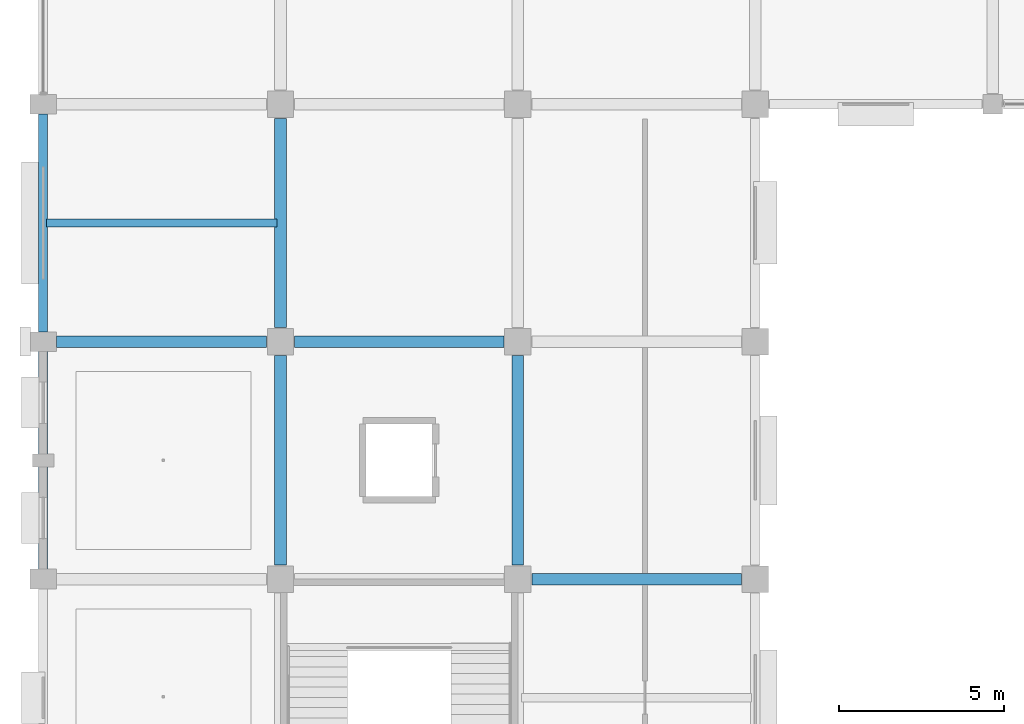
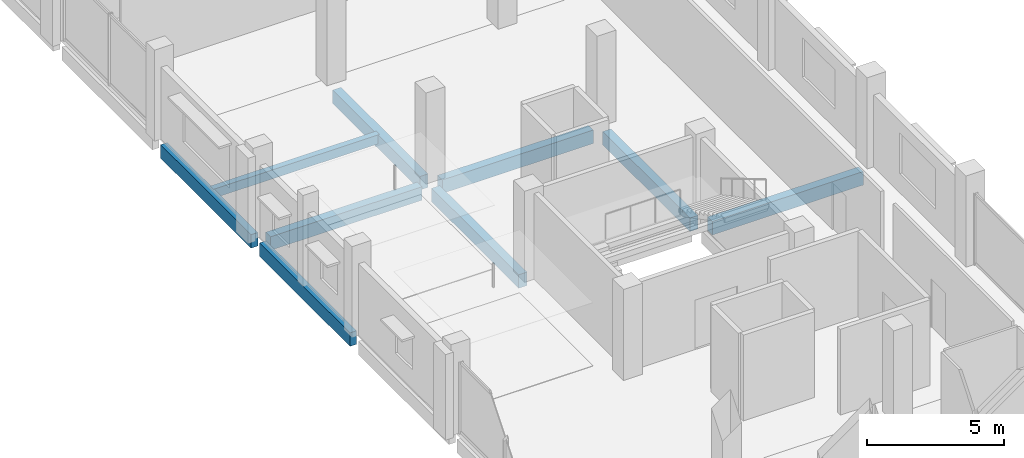
# One storey, part 10 of 108: 9 beams.
"""IFC4 building model written with IfcOpenShell, lengths in metres."""

from ifc_helpers import new_model, si_unit, direction, frame, origin, origin_2d, place, context, subcontext, project, spatial, rectangle, extrude, material, material_profile, profile_set, type_object, element, save


model = new_model("IFC4")

# Units and contexts
model_context = context("Model", 3, precision=1e-05, world=origin(), true_north=direction((0.0, 1.0)))
body_context = subcontext(model_context, "Body", "Model", "MODEL_VIEW")
ifc_project = project(units=[si_unit("LENGTHUNIT", "METRE"), si_unit("AREAUNIT", "SQUARE_METRE"), si_unit("VOLUMEUNIT", "CUBIC_METRE"), si_unit("PLANEANGLEUNIT", "RADIAN"), si_unit("MASSUNIT", "GRAM", prefix="KILO")], contexts=[model_context])

# Site, building, storey
site_placement = place(None, origin())
site = spatial("IfcSite", under=ifc_project, at=site_placement, CompositionType="ELEMENT")
building_placement = place(site_placement, origin())
building = spatial("IfcBuilding", under=site, at=building_placement, Name="Kangsadwip Square Police Headquarters", CompositionType="ELEMENT")
storey_placement = place(building_placement, frame((0.0, 0.0, 9.449951171875)))
storey = spatial("IfcBuildingStorey", under=building, at=storey_placement, Name="L02", CompositionType="ELEMENT", Elevation=9.449951171875)

# Beams
ifc_material_1 = material(Name="Concrete M35 (35 MPa)", Category="concrete")
ifc_material_profile_1 = material_profile(ifc_material_1, rectangle(XDim=0.35009765625, YDim=0.60009765625, at=origin_2d()), Name="RC BM 600X350")
ifc_profile_set_1 = profile_set([ifc_material_profile_1], Name="Concrete M35 (35 MPa)")
beam_type_1 = type_object("IfcBeamType", Name="RcBeam600x350", PredefinedType="BEAM", material=ifc_profile_set_1)
beam_1_placement = place(storey_placement, frame((14.824951171875, 79.199951171875, -0.5400390625), z_axis=(1.0, 0.0, 0.0), x_axis=(0.0, 1.0, 0.0)))
element("IfcBeam", 1, at=beam_1_placement, inside=storey, type_object=beam_type_1, Name="Beam BM-L02-X-02-11", PredefinedType="BEAM", context=body_context, shape_type="SweptSolid", body=[
    extrude(rectangle(XDim=0.35009765625, YDim=0.60009765625, at=origin_2d()), origin(), (0.0, 0.0, 1.0), 6.35009765625),
])
beam_2_placement = place(storey_placement, frame((0.39990234375, 86.39990234375, -0.5400390625), z_axis=(1.0, 0.0, 0.0), x_axis=(0.0, 1.0, 0.0)))
element("IfcBeam", 2, at=beam_2_placement, inside=storey, type_object=beam_type_1, Name="Beam BM-L02-X-00-12", PredefinedType="BEAM", context=body_context, shape_type="SweptSolid", body=[
    extrude(rectangle(XDim=0.35009765625, YDim=0.60009765625, at=origin_2d()), origin(), (0.0, 0.0, 1.0), 6.375),
])
for number, where, z_axis, x_axis, name in (
    (3, (7.625, 86.39990234375, -0.5400390625), (1.0, 0.0, 0.0), (0.0, 1.0, 0.0), "Beam BM-L02-X-01-12"),
    (4, (7.199951171875, 79.625, -0.5400390625), (0.0, 1.0, 0.0), (-1.0, 0.0, 0.0), "Beam BM-L02-Y-01-11"),
    (5, (7.199951171875, 86.824951171875, -0.5400390625), (0.0, 1.0, 0.0), (-1.0, 0.0, 0.0), "Beam BM-L02-Y-01-12"),
    (6, (14.39990234375, 79.625, -0.5400390625), (0.0, 1.0, 0.0), (-1.0, 0.0, 0.0), "Beam BM-L02-Y-02-11"),
):
    element("IfcBeam", number, at=place(storey_placement, frame(where, z_axis=z_axis, x_axis=x_axis)), inside=storey, type_object=beam_type_1, Name=name, PredefinedType="BEAM", context=body_context, shape_type="SweptSolid", body=[
        extrude(rectangle(XDim=0.35009765625, YDim=0.60009765625, at=origin_2d()), origin(), (0.0, 0.0, 1.0), 6.35009765625),
    ])
ifc_material_2 = material(Name="Concrete M35 (35 MPa)", Category="concrete")
ifc_material_profile_2 = material_profile(ifc_material_2, rectangle(XDim=0.25, YDim=0.39990234375, at=origin_2d()), Name="RC JST 400X250")
ifc_profile_set_2 = profile_set([ifc_material_profile_2], Name="Concrete M35 (35 MPa)")
beam_type_2 = type_object("IfcBeamType", Name="RcJoist400x250", PredefinedType="JOIST", material=ifc_profile_set_2)
beam_3_placement = place(storey_placement, frame((0.110107421875, 90.0, -0.43994140625), z_axis=(1.0, 0.0, 0.0), x_axis=(0.0, 1.0, 0.0)))
element("IfcBeam", 7, at=beam_3_placement, inside=storey, type_object=beam_type_2, Name="Secondary Joist JST-L02-00-12", PredefinedType="JOIST", context=body_context, shape_type="SweptSolid", body=[
    extrude(rectangle(XDim=0.25, YDim=0.39990234375, at=origin_2d()), origin(), (0.0, 0.0, 1.0), 6.97998046875),
])
ifc_material_3 = material(Name="Concrete M40 (40 MPa)", Category="concrete")
ifc_material_profile_3 = material_profile(ifc_material_3, rectangle(XDim=0.280029296875, YDim=0.60009765625, at=origin_2d()), Name="RC SPN 600X280")
ifc_profile_set_3 = profile_set([ifc_material_profile_3], Name="Concrete M40 (40 MPa)")
beam_type_3 = type_object("IfcBeamType", Name="RcSpandrel600x280", PredefinedType="SPANDREL", material=ifc_profile_set_3)
for number, where, z_axis, x_axis, name in (
    (8, (0.0, 79.5, -0.5400390625), (0.0, 1.0, 0.0), (-1.0, 0.0, 0.0), "Beam BM-L02-Y-00-11"),
    (9, (0.0, 86.699951171875, -0.5400390625), (0.0, 1.0, 0.0), (-1.0, 0.0, 0.0), "Beam BM-L02-Y-00-12"),
):
    element("IfcBeam", number, at=place(storey_placement, frame(where, z_axis=z_axis, x_axis=x_axis)), inside=storey, type_object=beam_type_3, Name=name, PredefinedType="SPANDREL", context=body_context, shape_type="SweptSolid", body=[
        extrude(rectangle(XDim=0.280029296875, YDim=0.60009765625, at=origin_2d()), origin(), (0.0, 0.0, 1.0), 6.60009765625),
    ])

save(model, "model.ifc")
